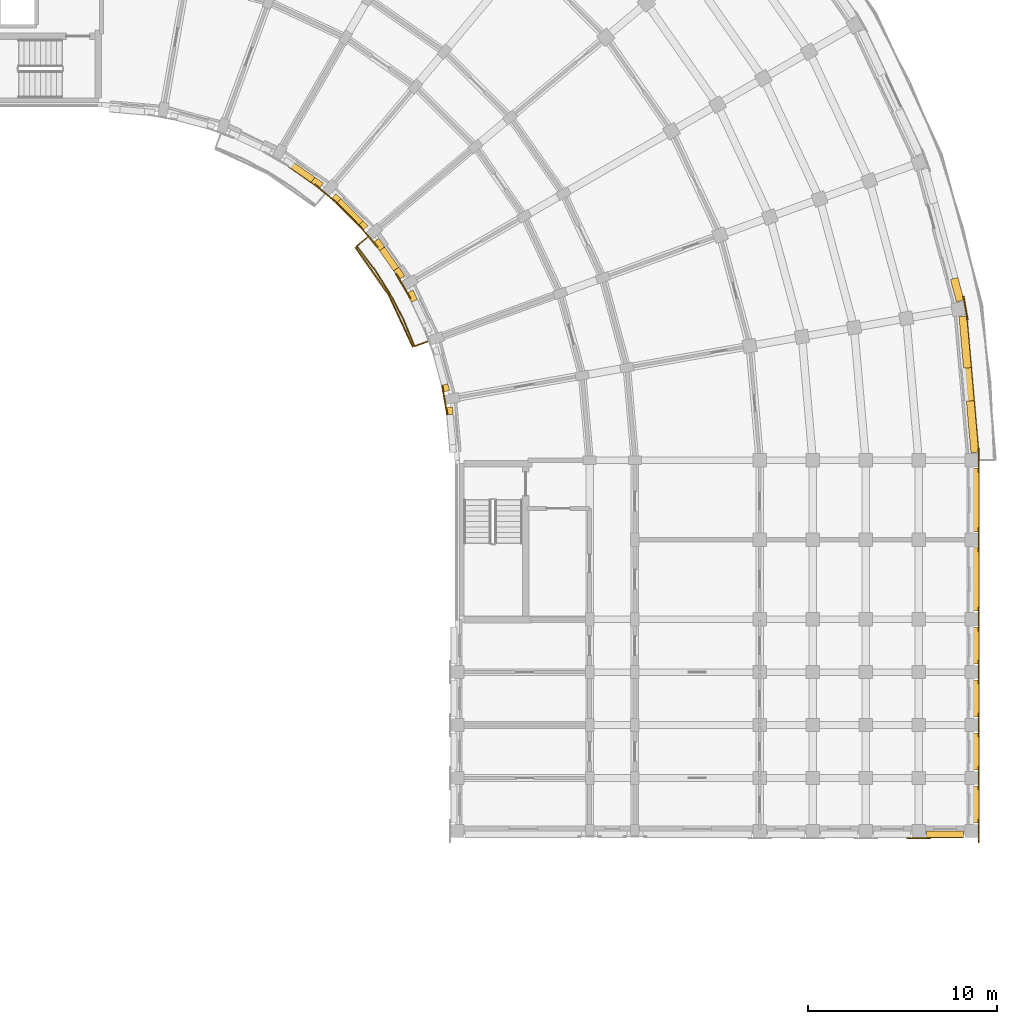
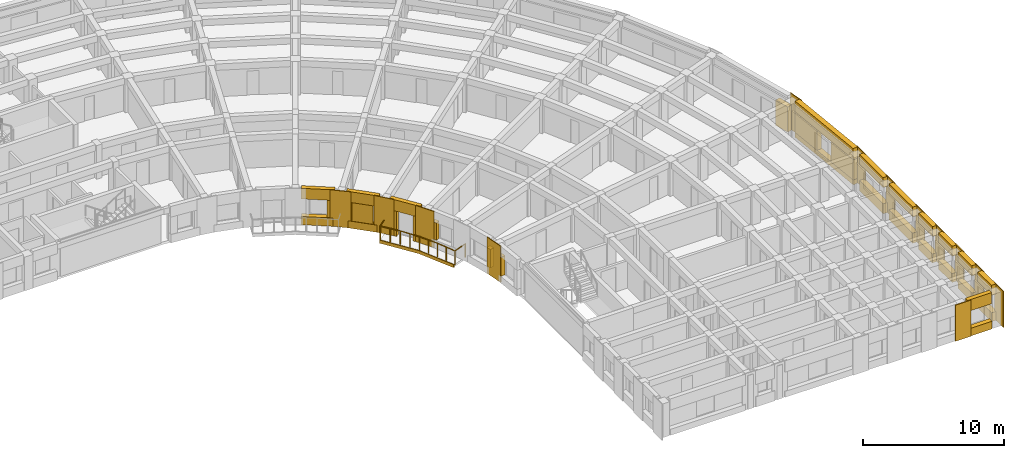
# One storey, part 53 of 57: 46 coverings, 1 railing, 1 shading device.
"""IFC4 building model written with IfcOpenShell, lengths in metres."""

from ifc_helpers import new_model, si_unit, direction, frame, origin, origin_2d, place, context, subcontext, project, spatial, polyline, rectangle, circle, outline, extrude, material, layer, layer_set, type_object, element, save


model = new_model("IFC4")

# Units and contexts
model_context = context("Model", 3, precision=1e-05, world=origin(), true_north=direction((0.0, 1.0)))
body_context = subcontext(model_context, "Body", "Model", "MODEL_VIEW")
ifc_project = project(units=[si_unit("LENGTHUNIT", "METRE"), si_unit("AREAUNIT", "SQUARE_METRE"), si_unit("VOLUMEUNIT", "CUBIC_METRE"), si_unit("PLANEANGLEUNIT", "RADIAN"), si_unit("MASSUNIT", "GRAM", prefix="KILO")], contexts=[model_context])

# Site, building, storey
site_placement = place(None, origin())
site = spatial("IfcSite", under=ifc_project, at=site_placement, CompositionType="ELEMENT")
building_placement = place(site_placement, origin())
building = spatial("IfcBuilding", under=site, at=building_placement, Name="Kiranvali Square Residences", CompositionType="ELEMENT")
storey_placement = place(building_placement, frame((0.0, 0.0, 18.14990234375)))
storey = spatial("IfcBuildingStorey", under=building, at=storey_placement, Name="L05", CompositionType="ELEMENT", Elevation=18.14990234375)

# Coverings
ifc_material_1 = material(Name="Carved Porbandar limestone classical entablature and cornice", Category="masonry")
ifc_layer_1 = layer(ifc_material_1, 0.06201171875)
ifc_layer_set_1 = layer_set([ifc_layer_1], Name="Carved Porbandar limestone classical entablature and cornice")
covering_type_1 = type_object("IfcCoveringType", Name="COV-CLAD-GBAL", PredefinedType="CLADDING", material=ifc_layer_set_1)
covering_1_placement = place(storey_placement, frame((0.0, 0.0, -0.219970703125)))
element("IfcCovering", 1, at=covering_1_placement, inside=storey, type_object=covering_type_1, Name="Block B L05 garden balcony limestone fascia 2", PredefinedType="CLADDING", context=body_context, shape_type="SweptSolid", body=[
    extrude(outline(polyline([(133.1904296875, 99.035888671875), (134.938232421875, 96.5400390625), (136.225830078125, 93.778564453125), (136.289794921875, 93.8017578125), (134.9970703125, 96.573974609375), (133.242431640625, 99.07958984375), (133.1904296875, 99.035888671875)])), origin(), (0.0, 0.0, 1.0), 0.27001953125),
])
ifc_material_2 = material(Name="Honed Porbandar limestone ashlar facade cladding", Category="masonry")
ifc_layer_2 = layer(ifc_material_2, 0.3798828125)
ifc_layer_set_2 = layer_set([ifc_layer_2], Name="Honed Porbandar limestone ashlar facade cladding")
covering_type_2 = type_object("IfcCoveringType", Name="COV-CLAD-JAMB", PredefinedType="CLADDING", material=ifc_layer_set_2)
covering_2_placement = place(storey_placement, origin())
element("IfcCovering", 2, at=covering_2_placement, inside=storey, type_object=covering_type_2, Name="L05 deep limestone window jamb reveal B-L05-CRV-07.R", PredefinedType="CLADDING", context=body_context, shape_type="SweptSolid", body=[
    extrude(outline(polyline([(164.6806640625, 97.359375), (164.998046875, 96.17431640625), (165.3935546875, 96.2802734375), (165.076171875, 97.46533203125), (164.6806640625, 97.359375)])), origin(), (0.0, 0.0, 1.0), 2.18017578125),
])
covering_3_placement = place(storey_placement, frame((0.0, 0.0, 0.422119140625)))
element("IfcCovering", 3, at=covering_3_placement, inside=storey, type_object=covering_type_2, Name="L05 deep limestone window jamb reveal B-L05-CRV-08.L", PredefinedType="CLADDING", context=body_context, shape_type="SweptSolid", body=[
    extrude(outline(polyline([(165.136474609375, 95.389404296875), (165.374755859375, 92.66552734375), (165.78271484375, 92.701416015625), (165.54443359375, 95.425048828125), (165.136474609375, 95.389404296875)])), origin(), (0.0, 0.0, 1.0), 1.75),
])
covering_4_placement = place(storey_placement, frame((0.0, 0.0, 0.422119140625)))
element("IfcCovering", 4, at=covering_4_placement, inside=storey, type_object=covering_type_2, Name="L05 deep limestone window jamb reveal B-L05-CRV-08.R", PredefinedType="CLADDING", context=body_context, shape_type="SweptSolid", body=[
    extrude(outline(polyline([(165.52734375, 90.92236328125), (165.765625, 88.198486328125), (166.173583984375, 88.234130859375), (165.935302734375, 90.9580078125), (165.52734375, 90.92236328125)])), origin(), (0.0, 0.0, 1.0), 1.75),
])
covering_5_placement = place(storey_placement, frame((0.0, 0.0, 0.72216796875)))
element("IfcCovering", 5, at=covering_5_placement, inside=storey, type_object=covering_type_2, Name="L05 deep limestone window jamb reveal B-L05-GDN-03.R", PredefinedType="CLADDING", context=body_context, shape_type="SweptSolid", body=[
    extrude(outline(polyline([(130.879638671875, 102.490234375), (131.328857421875, 102.175537109375), (131.523681640625, 102.45361328125), (131.074462890625, 102.768310546875), (130.879638671875, 102.490234375)])), origin(), (0.0, 0.0, 1.0), 1.5),
])
covering_6_placement = place(storey_placement, frame((0.0, 0.0, 0.6220703125)))
element("IfcCovering", 6, at=covering_6_placement, inside=storey, type_object=covering_type_2, Name="L05 deep limestone window jamb reveal B-L05-GDN-04.L", PredefinedType="CLADDING", context=body_context, shape_type="SweptSolid", body=[
    extrude(outline(polyline([(131.955078125, 101.650146484375), (132.21923828125, 101.385986328125), (132.459228515625, 101.6259765625), (132.195068359375, 101.89013671875), (131.955078125, 101.650146484375)])), origin(), (0.0, 0.0, 1.0), 1.60009765625),
])
covering_7_placement = place(storey_placement, frame((0.0, 0.0, 0.6220703125)))
element("IfcCovering", 7, at=covering_7_placement, inside=storey, type_object=covering_type_2, Name="L05 deep limestone window jamb reveal B-L05-GDN-04.R", PredefinedType="CLADDING", context=body_context, shape_type="SweptSolid", body=[
    extrude(outline(polyline([(133.385986328125, 100.21923828125), (133.650146484375, 99.955078125), (133.89013671875, 100.195068359375), (133.6259765625, 100.459228515625), (133.385986328125, 100.21923828125)])), origin(), (0.0, 0.0, 1.0), 1.60009765625),
])
covering_8_placement = place(storey_placement, origin())
element("IfcCovering", 8, at=covering_8_placement, inside=storey, type_object=covering_type_2, Name="L05 deep limestone window jamb reveal B-L05-GDN-05.L", PredefinedType="CLADDING", context=body_context, shape_type="SweptSolid", body=[
    extrude(outline(polyline([(134.175537109375, 99.328857421875), (134.490234375, 98.879638671875), (134.768310546875, 99.074462890625), (134.45361328125, 99.523681640625), (134.175537109375, 99.328857421875)])), origin(), (0.0, 0.0, 1.0), 2.18017578125),
])
covering_9_placement = place(storey_placement, origin())
element("IfcCovering", 9, at=covering_9_placement, inside=storey, type_object=covering_type_2, Name="L05 deep limestone window jamb reveal B-L05-GDN-05.R", PredefinedType="CLADDING", context=body_context, shape_type="SweptSolid", body=[
    extrude(outline(polyline([(135.23583984375, 97.814697265625), (135.55029296875, 97.365478515625), (135.828369140625, 97.56005859375), (135.513916015625, 98.009521484375), (135.23583984375, 97.814697265625)])), origin(), (0.0, 0.0, 1.0), 2.18017578125),
])
covering_10_placement = place(storey_placement, frame((0.0, 0.0, 0.72216796875)))
element("IfcCovering", 10, at=covering_10_placement, inside=storey, type_object=covering_type_2, Name="L05 deep limestone window jamb reveal B-L05-GDN-06.L", PredefinedType="CLADDING", context=body_context, shape_type="SweptSolid", body=[
    extrude(outline(polyline([(135.958984375, 96.657470703125), (136.19091796875, 96.160400390625), (136.49853515625, 96.303955078125), (136.266845703125, 96.801025390625), (135.958984375, 96.657470703125)])), origin(), (0.0, 0.0, 1.0), 1.5),
])
covering_11_placement = place(storey_placement, frame((0.0, 0.0, 0.6220703125)))
element("IfcCovering", 11, at=covering_11_placement, inside=storey, type_object=covering_type_2, Name="L05 deep limestone window jamb reveal B-L05-GDN-07.R", PredefinedType="CLADDING", context=body_context, shape_type="SweptSolid", body=[
    extrude(outline(polyline([(137.775390625, 91.762451171875), (137.8720703125, 91.401611328125), (138.199951171875, 91.489501953125), (138.103271484375, 91.850341796875), (137.775390625, 91.762451171875)])), origin(), (0.0, 0.0, 1.0), 1.60009765625),
])
covering_12_placement = place(storey_placement, frame((0.0, 0.0, 0.572021484375)))
element("IfcCovering", 12, at=covering_12_placement, inside=storey, type_object=covering_type_2, Name="L05 deep limestone window jamb reveal B-L05-GDN-08.L", PredefinedType="CLADDING", context=body_context, shape_type="SweptSolid", body=[
    extrude(outline(polyline([(138.013916015625, 90.5966796875), (138.048828125, 90.19970703125), (138.386962890625, 90.229248046875), (138.352294921875, 90.626220703125), (138.013916015625, 90.5966796875)])), origin(), (0.0, 0.0, 1.0), 1.650146484375),
])
ifc_layer_3 = layer(ifc_material_2, 0.06494140625)
ifc_layer_set_3 = layer_set([ifc_layer_3], Name="Honed Porbandar limestone ashlar facade cladding")
covering_type_3 = type_object("IfcCoveringType", Name="COV-CLAD-PIER", PredefinedType="CLADDING", material=ifc_layer_set_3)
covering_13_placement = place(storey_placement, frame((0.0, 0.0, 0.005126953125)))
element("IfcCovering", 13, at=covering_13_placement, inside=storey, type_object=covering_type_3, Name="L05 Classical limestone corner pilaster CLAD-PR-B-L05-A08", PredefinedType="CLADDING", context=body_context, shape_type="SweptSolid", body=[
    extrude(outline(polyline([(165.622314453125, 95.239990234375), (165.4033203125, 96.480712890625), (165.3369140625, 96.468994140625), (165.5556640625, 95.228271484375), (165.622314453125, 95.239990234375)])), origin(), (0.0, 0.0, 1.0), 3.139892578125),
])
covering_14_placement = place(storey_placement, frame((0.0, 0.0, 0.005126953125)))
element("IfcCovering", 14, at=covering_14_placement, inside=storey, type_object=covering_type_3, Name="L05 Classical limestone corner pilaster CLAD-PR-B-L05-A09", PredefinedType="CLADDING", context=body_context, shape_type="SweptSolid", body=[
    extrude(outline(polyline([(166.218017578125, 87.169921875), (166.218017578125, 88.429931640625), (166.150390625, 88.429931640625), (166.150390625, 87.169921875), (166.218017578125, 87.169921875)])), origin(), (0.0, 0.0, 1.0), 3.139892578125),
])
covering_15_placement = place(storey_placement, frame((0.0, 0.0, 0.005126953125)))
element("IfcCovering", 15, at=covering_15_placement, inside=storey, type_object=covering_type_3, Name="L05 Classical limestone pilaster casing CLAD-PR-B-L05-V42", PredefinedType="CLADDING", context=body_context, shape_type="SweptSolid", body=[
    extrude(outline(polyline([(166.150390625, 84.22998046875), (166.150390625, 82.969970703125), (166.218017578125, 82.969970703125), (166.218017578125, 84.22998046875), (166.150390625, 84.22998046875)])), origin(), (0.0, 0.0, 1.0), 3.139892578125),
])
covering_16_placement = place(storey_placement, frame((0.0, 0.0, 0.005126953125)))
element("IfcCovering", 16, at=covering_16_placement, inside=storey, type_object=covering_type_3, Name="L05 Classical limestone pilaster casing CLAD-PR-B-L05-V84", PredefinedType="CLADDING", context=body_context, shape_type="SweptSolid", body=[
    extrude(outline(polyline([(166.150390625, 80.030029296875), (166.150390625, 78.77001953125), (166.218017578125, 78.77001953125), (166.218017578125, 80.030029296875), (166.150390625, 80.030029296875)])), origin(), (0.0, 0.0, 1.0), 3.139892578125),
])
covering_17_placement = place(storey_placement, frame((0.0, 0.0, 0.005126953125)))
element("IfcCovering", 17, at=covering_17_placement, inside=storey, type_object=covering_type_3, Name="L05 Classical limestone pilaster casing CLAD-PR-B-L05-V112", PredefinedType="CLADDING", context=body_context, shape_type="SweptSolid", body=[
    extrude(outline(polyline([(166.150390625, 77.22998046875), (166.150390625, 75.969970703125), (166.218017578125, 75.969970703125), (166.218017578125, 77.22998046875), (166.150390625, 77.22998046875)])), origin(), (0.0, 0.0, 1.0), 3.139892578125),
])
covering_18_placement = place(storey_placement, frame((0.0, 0.0, 0.005126953125)))
element("IfcCovering", 18, at=covering_18_placement, inside=storey, type_object=covering_type_3, Name="L05 Classical limestone pilaster casing CLAD-PR-B-L05-V140", PredefinedType="CLADDING", context=body_context, shape_type="SweptSolid", body=[
    extrude(outline(polyline([(166.150390625, 74.429931640625), (166.150390625, 73.169921875), (166.218017578125, 73.169921875), (166.218017578125, 74.429931640625), (166.150390625, 74.429931640625)])), origin(), (0.0, 0.0, 1.0), 3.139892578125),
])
covering_19_placement = place(storey_placement, frame((0.0, 0.0, 0.005126953125)))
element("IfcCovering", 19, at=covering_19_placement, inside=storey, type_object=covering_type_3, Name="L05 Classical limestone pilaster casing CLAD-PR-B-L05-V167", PredefinedType="CLADDING", context=body_context, shape_type="SweptSolid", body=[
    extrude(outline(polyline([(166.150390625, 71.6298828125), (166.150390625, 70.3701171875), (166.218017578125, 70.3701171875), (166.218017578125, 71.6298828125), (166.150390625, 71.6298828125)])), origin(), (0.0, 0.0, 1.0), 3.139892578125),
])
covering_20_placement = place(storey_placement, frame((0.0, 0.0, 0.005126953125)))
element("IfcCovering", 20, at=covering_20_placement, inside=storey, type_object=covering_type_3, Name="L05 Classical limestone pilaster casing CLAD-PR-B-L05-V196", PredefinedType="CLADDING", context=body_context, shape_type="SweptSolid", body=[
    extrude(outline(polyline([(166.150390625, 68.830078125), (166.150390625, 67.570068359375), (166.218017578125, 67.570068359375), (166.218017578125, 68.830078125), (166.150390625, 68.830078125)])), origin(), (0.0, 0.0, 1.0), 3.139892578125),
])
ifc_layer_4 = layer(ifc_material_2, 0.050048828125)
ifc_layer_set_4 = layer_set([ifc_layer_4], Name="Honed Porbandar limestone ashlar facade cladding")
covering_type_4 = type_object("IfcCoveringType", Name="COV-CLAD-PIER-IN", PredefinedType="CLADDING", material=ifc_layer_set_4)
covering_21_placement = place(storey_placement, frame((0.0, 0.0, 0.005126953125)))
element("IfcCovering", 21, at=covering_21_placement, inside=storey, type_object=covering_type_4, Name="L05 Classical garden courtyard pilaster CLAD-PRIN-B-L05-A04", PredefinedType="CLADDING", context=body_context, shape_type="SweptSolid", body=[
    extrude(outline(polyline([(131.041259765625, 102.363525390625), (132.190185546875, 101.3994140625), (132.233642578125, 101.451171875), (131.08447265625, 102.415283203125), (131.041259765625, 102.363525390625)])), origin(), (0.0, 0.0, 1.0), 3.139892578125),
])
covering_22_placement = place(storey_placement, frame((0.0, 0.0, 0.005126953125)))
element("IfcCovering", 22, at=covering_22_placement, inside=storey, type_object=covering_type_4, Name="L05 Classical garden courtyard pilaster CLAD-PRIN-B-L05-A05", PredefinedType="CLADDING", context=body_context, shape_type="SweptSolid", body=[
    extrude(outline(polyline([(133.3994140625, 100.190185546875), (134.363525390625, 99.041259765625), (134.415283203125, 99.08447265625), (133.451171875, 100.233642578125), (133.3994140625, 100.190185546875)])), origin(), (0.0, 0.0, 1.0), 3.139892578125),
])
covering_23_placement = place(storey_placement, frame((0.0, 0.0, 0.005126953125)))
element("IfcCovering", 23, at=covering_23_placement, inside=storey, type_object=covering_type_4, Name="L05 Classical garden courtyard pilaster CLAD-PRIN-B-L05-A06", PredefinedType="CLADDING", context=body_context, shape_type="SweptSolid", body=[
    extrude(outline(polyline([(135.34423828125, 97.640625), (136.09423828125, 96.341552734375), (136.15283203125, 96.375244140625), (135.40283203125, 97.67431640625), (135.34423828125, 97.640625)])), origin(), (0.0, 0.0, 1.0), 3.139892578125),
])
covering_24_placement = place(storey_placement, frame((0.0, 0.0, 0.005126953125)))
element("IfcCovering", 24, at=covering_24_placement, inside=storey, type_object=covering_type_4, Name="L05 Classical garden courtyard pilaster CLAD-PRIN-B-L05-A08", PredefinedType="CLADDING", context=body_context, shape_type="SweptSolid", body=[
    extrude(outline(polyline([(137.7724609375, 91.730712890625), (138.032958984375, 90.25341796875), (138.099365234375, 90.26513671875), (137.8388671875, 91.742431640625), (137.7724609375, 91.730712890625)])), origin(), (0.0, 0.0, 1.0), 3.139892578125),
])
ifc_layer_5 = layer(ifc_material_2, 0.054931640625)
ifc_layer_set_5 = layer_set([ifc_layer_5], Name="Honed Porbandar limestone ashlar facade cladding")
covering_type_5 = type_object("IfcCoveringType", Name="COV-CLAD-PIER-UP", PredefinedType="CLADDING", material=ifc_layer_set_5)
covering_25_placement = place(storey_placement, frame((0.0, 0.0, 0.005126953125)))
element("IfcCovering", 25, at=covering_25_placement, inside=storey, type_object=covering_type_5, Name="L05 Classical limestone pilaster casing CLAD-PRA2E-B-L05-R432", PredefinedType="CLADDING", context=body_context, shape_type="SweptSolid", body=[
    extrude(outline(polyline([(162.3701171875, 67.781982421875), (163.6298828125, 67.781982421875), (163.6298828125, 67.849609375), (162.3701171875, 67.849609375), (162.3701171875, 67.781982421875)])), origin(), (0.0, 0.0, 1.0), 3.139892578125),
])
ifc_layer_6 = layer(ifc_material_2, 0.360107421875)
ifc_layer_set_6 = layer_set([ifc_layer_6], Name="Honed Porbandar limestone ashlar facade cladding")
covering_type_6 = type_object("IfcCoveringType", Name="COV-CLAD-WALL", PredefinedType="CLADDING", material=ifc_layer_set_6)
covering_26_placement = place(storey_placement, frame((0.0, 0.0, 2.172119140625)))
element("IfcCovering", 26, at=covering_26_placement, inside=storey, type_object=covering_type_6, Name="L05 light limestone spandrel lintel B-L05-CRV-08", PredefinedType="CLADDING", context=body_context, shape_type="SweptSolid", body=[
    extrude(outline(polyline([(165.136474609375, 95.389404296875), (165.765625, 88.198486328125), (166.173583984375, 88.234130859375), (165.54443359375, 95.425048828125), (165.136474609375, 95.389404296875)])), origin(), (0.0, 0.0, 1.0), 0.972900390625),
])
covering_27_placement = place(storey_placement, frame((0.0, 0.0, 0.005126953125)))
element("IfcCovering", 27, at=covering_27_placement, inside=storey, type_object=covering_type_6, Name="L05 limestone window sill apron B-L05-CRV-08", PredefinedType="CLADDING", context=body_context, shape_type="SweptSolid", body=[
    extrude(outline(polyline([(165.136474609375, 95.389404296875), (165.765625, 88.198486328125), (166.203369140625, 88.23681640625), (165.57421875, 95.427734375), (165.136474609375, 95.389404296875)])), origin(), (0.0, 0.0, 1.0), 0.4169921875),
])
covering_28_placement = place(storey_placement, frame((0.0, 0.0, 2.22216796875)))
element("IfcCovering", 28, at=covering_28_placement, inside=storey, type_object=covering_type_6, Name="L05 light limestone spandrel lintel B-L05-GDN-03", PredefinedType="CLADDING", context=body_context, shape_type="SweptSolid", body=[
    extrude(outline(polyline([(129.365478515625, 103.55029296875), (131.328857421875, 102.175537109375), (131.523681640625, 102.45361328125), (129.56005859375, 103.828369140625), (129.365478515625, 103.55029296875)])), origin(), (0.0, 0.0, 1.0), 0.9228515625),
])
covering_29_placement = place(storey_placement, frame((0.0, 0.0, 2.22216796875)))
element("IfcCovering", 29, at=covering_29_placement, inside=storey, type_object=covering_type_6, Name="L05 light limestone spandrel lintel B-L05-GDN-04", PredefinedType="CLADDING", context=body_context, shape_type="SweptSolid", body=[
    extrude(outline(polyline([(131.955078125, 101.650146484375), (133.650146484375, 99.955078125), (133.89013671875, 100.195068359375), (132.195068359375, 101.89013671875), (131.955078125, 101.650146484375)])), origin(), (0.0, 0.0, 1.0), 0.9228515625),
])
covering_30_placement = place(storey_placement, frame((0.0, 0.0, 2.18017578125)))
element("IfcCovering", 30, at=covering_30_placement, inside=storey, type_object=covering_type_6, Name="L05 light limestone spandrel lintel B-L05-GDN-05", PredefinedType="CLADDING", context=body_context, shape_type="SweptSolid", body=[
    extrude(outline(polyline([(134.175537109375, 99.328857421875), (135.55029296875, 97.365478515625), (135.828369140625, 97.56005859375), (134.45361328125, 99.523681640625), (134.175537109375, 99.328857421875)])), origin(), (0.0, 0.0, 1.0), 0.96484375),
])
covering_31_placement = place(storey_placement, frame((0.0, 0.0, 2.280029296875)))
element("IfcCovering", 31, at=covering_31_placement, inside=storey, type_object=covering_type_6, Name="L05 light limestone spandrel lintel B-L05-A2O-0", PredefinedType="CLADDING", context=body_context, shape_type="SweptSolid", body=[
    extrude(outline(polyline([(165.800537109375, 87.3798828125), (165.800537109375, 84.02001953125), (166.199951171875, 84.02001953125), (166.199951171875, 87.3798828125), (165.800537109375, 87.3798828125)])), origin(), (0.0, 0.0, 1.0), 0.864990234375),
])
covering_32_placement = place(storey_placement, frame((0.0, 0.0, 0.005126953125)))
element("IfcCovering", 32, at=covering_32_placement, inside=storey, type_object=covering_type_6, Name="L05 limestone window sill apron B-L05-A2O-0", PredefinedType="CLADDING", context=body_context, shape_type="SweptSolid", body=[
    extrude(outline(polyline([(165.800537109375, 87.3798828125), (165.800537109375, 84.02001953125), (166.22998046875, 84.02001953125), (166.22998046875, 87.3798828125), (165.800537109375, 87.3798828125)])), origin(), (0.0, 0.0, 1.0), 0.875),
])
covering_33_placement = place(storey_placement, frame((0.0, 0.0, 2.280029296875)))
element("IfcCovering", 33, at=covering_33_placement, inside=storey, type_object=covering_type_6, Name="L05 light limestone spandrel lintel B-L05-A2O-1", PredefinedType="CLADDING", context=body_context, shape_type="SweptSolid", body=[
    extrude(outline(polyline([(165.800537109375, 83.179931640625), (165.800537109375, 79.820068359375), (166.199951171875, 79.820068359375), (166.199951171875, 83.179931640625), (165.800537109375, 83.179931640625)])), origin(), (0.0, 0.0, 1.0), 0.864990234375),
])
covering_34_placement = place(storey_placement, frame((0.0, 0.0, 0.005126953125)))
element("IfcCovering", 34, at=covering_34_placement, inside=storey, type_object=covering_type_6, Name="L05 limestone window sill apron B-L05-A2O-1", PredefinedType="CLADDING", context=body_context, shape_type="SweptSolid", body=[
    extrude(outline(polyline([(165.800537109375, 83.179931640625), (165.800537109375, 79.820068359375), (166.22998046875, 79.820068359375), (166.22998046875, 83.179931640625), (165.800537109375, 83.179931640625)])), origin(), (0.0, 0.0, 1.0), 0.875),
])
covering_35_placement = place(storey_placement, frame((0.0, 0.0, 2.272216796875)))
element("IfcCovering", 35, at=covering_35_placement, inside=storey, type_object=covering_type_6, Name="L05 light limestone spandrel lintel B-L05-A2O-2", PredefinedType="CLADDING", context=body_context, shape_type="SweptSolid", body=[
    extrude(outline(polyline([(165.800537109375, 78.97998046875), (165.800537109375, 77.02001953125), (166.199951171875, 77.02001953125), (166.199951171875, 78.97998046875), (165.800537109375, 78.97998046875)])), origin(), (0.0, 0.0, 1.0), 0.872802734375),
])
covering_36_placement = place(storey_placement, frame((0.0, 0.0, 0.005126953125)))
element("IfcCovering", 36, at=covering_36_placement, inside=storey, type_object=covering_type_6, Name="L05 limestone window sill apron B-L05-A2O-2", PredefinedType="CLADDING", context=body_context, shape_type="SweptSolid", body=[
    extrude(outline(polyline([(165.800537109375, 78.97998046875), (165.800537109375, 77.02001953125), (166.22998046875, 77.02001953125), (166.22998046875, 78.97998046875), (165.800537109375, 78.97998046875)])), origin(), (0.0, 0.0, 1.0), 0.76708984375),
])
covering_37_placement = place(storey_placement, frame((0.0, 0.0, 2.272216796875)))
element("IfcCovering", 37, at=covering_37_placement, inside=storey, type_object=covering_type_6, Name="L05 light limestone spandrel lintel B-L05-A2O-3", PredefinedType="CLADDING", context=body_context, shape_type="SweptSolid", body=[
    extrude(outline(polyline([(165.800537109375, 76.179931640625), (165.800537109375, 74.219970703125), (166.199951171875, 74.219970703125), (166.199951171875, 76.179931640625), (165.800537109375, 76.179931640625)])), origin(), (0.0, 0.0, 1.0), 0.872802734375),
])
covering_38_placement = place(storey_placement, frame((0.0, 0.0, 0.005126953125)))
element("IfcCovering", 38, at=covering_38_placement, inside=storey, type_object=covering_type_6, Name="L05 limestone window sill apron B-L05-A2O-3", PredefinedType="CLADDING", context=body_context, shape_type="SweptSolid", body=[
    extrude(outline(polyline([(165.800537109375, 76.179931640625), (165.800537109375, 74.219970703125), (166.22998046875, 74.219970703125), (166.22998046875, 76.179931640625), (165.800537109375, 76.179931640625)])), origin(), (0.0, 0.0, 1.0), 0.76708984375),
])
covering_39_placement = place(storey_placement, frame((0.0, 0.0, 2.272216796875)))
element("IfcCovering", 39, at=covering_39_placement, inside=storey, type_object=covering_type_6, Name="L05 light limestone spandrel lintel B-L05-A2O-4", PredefinedType="CLADDING", context=body_context, shape_type="SweptSolid", body=[
    extrude(outline(polyline([(165.800537109375, 73.3798828125), (165.800537109375, 71.419921875), (166.199951171875, 71.419921875), (166.199951171875, 73.3798828125), (165.800537109375, 73.3798828125)])), origin(), (0.0, 0.0, 1.0), 0.872802734375),
])
covering_40_placement = place(storey_placement, frame((0.0, 0.0, 0.005126953125)))
element("IfcCovering", 40, at=covering_40_placement, inside=storey, type_object=covering_type_6, Name="L05 limestone window sill apron B-L05-A2O-4", PredefinedType="CLADDING", context=body_context, shape_type="SweptSolid", body=[
    extrude(outline(polyline([(165.800537109375, 73.3798828125), (165.800537109375, 71.419921875), (166.22998046875, 71.419921875), (166.22998046875, 73.3798828125), (165.800537109375, 73.3798828125)])), origin(), (0.0, 0.0, 1.0), 0.76708984375),
])
covering_41_placement = place(storey_placement, frame((0.0, 0.0, 2.272216796875)))
element("IfcCovering", 41, at=covering_41_placement, inside=storey, type_object=covering_type_6, Name="L05 light limestone spandrel lintel B-L05-A2O-5", PredefinedType="CLADDING", context=body_context, shape_type="SweptSolid", body=[
    extrude(outline(polyline([(165.800537109375, 70.580078125), (165.800537109375, 68.6201171875), (166.199951171875, 68.6201171875), (166.199951171875, 70.580078125), (165.800537109375, 70.580078125)])), origin(), (0.0, 0.0, 1.0), 0.872802734375),
])
covering_42_placement = place(storey_placement, frame((0.0, 0.0, 0.005126953125)))
element("IfcCovering", 42, at=covering_42_placement, inside=storey, type_object=covering_type_6, Name="L05 limestone window sill apron B-L05-A2O-5", PredefinedType="CLADDING", context=body_context, shape_type="SweptSolid", body=[
    extrude(outline(polyline([(165.800537109375, 70.580078125), (165.800537109375, 68.6201171875), (166.22998046875, 68.6201171875), (166.22998046875, 70.580078125), (165.800537109375, 70.580078125)])), origin(), (0.0, 0.0, 1.0), 0.76708984375),
])
covering_43_placement = place(storey_placement, frame((0.0, 0.0, 2.172119140625)))
element("IfcCovering", 43, at=covering_43_placement, inside=storey, type_object=covering_type_6, Name="L05 light limestone spandrel lintel B-L05-A2END-6", PredefinedType="CLADDING", context=body_context, shape_type="SweptSolid", body=[
    extrude(outline(polyline([(163.419921875, 67.860107421875), (165.3798828125, 67.860107421875), (165.3798828125, 68.199462890625), (163.419921875, 68.199462890625), (163.419921875, 67.860107421875)])), origin(), (0.0, 0.0, 1.0), 0.972900390625),
])
covering_44_placement = place(storey_placement, frame((0.0, 0.0, 0.005126953125)))
element("IfcCovering", 44, at=covering_44_placement, inside=storey, type_object=covering_type_6, Name="L05 limestone window sill apron B-L05-A2END-6", PredefinedType="CLADDING", context=body_context, shape_type="SweptSolid", body=[
    extrude(outline(polyline([(163.419921875, 67.830078125), (165.3798828125, 67.830078125), (165.3798828125, 68.199462890625), (163.419921875, 68.199462890625), (163.419921875, 67.830078125)])), origin(), (0.0, 0.0, 1.0), 0.6669921875),
])
ifc_layer_7 = layer(ifc_material_2, 0.2900390625)
ifc_layer_set_7 = layer_set([ifc_layer_7], Name="Honed Porbandar limestone ashlar facade cladding")
covering_type_7 = type_object("IfcCoveringType", Name="COV-CLAD-WALL-IN", PredefinedType="CLADDING", material=ifc_layer_set_7)
covering_45_placement = place(storey_placement, frame((0.0, 0.0, 0.005126953125)))
element("IfcCovering", 45, at=covering_45_placement, inside=storey, type_object=covering_type_7, Name="L05 limestone window sill apron B-L05-GDN-03", PredefinedType="CLADDING", context=body_context, shape_type="SweptSolid", body=[
    extrude(outline(polyline([(129.34814453125, 103.52587890625), (131.311767578125, 102.15087890625), (131.523681640625, 102.45361328125), (129.56005859375, 103.828369140625), (129.34814453125, 103.52587890625)])), origin(), (0.0, 0.0, 1.0), 0.717041015625),
])
covering_46_placement = place(storey_placement, frame((0.0, 0.0, 0.005126953125)))
element("IfcCovering", 46, at=covering_46_placement, inside=storey, type_object=covering_type_7, Name="L05 limestone window sill apron B-L05-GDN-04", PredefinedType="CLADDING", context=body_context, shape_type="SweptSolid", body=[
    extrude(outline(polyline([(131.933837890625, 101.62890625), (133.62890625, 99.933837890625), (133.89013671875, 100.195068359375), (132.195068359375, 101.89013671875), (131.933837890625, 101.62890625)])), origin(), (0.0, 0.0, 1.0), 0.616943359375),
])

# Railing
ifc_material_3 = material(Name="Powder-coated architectural bronze balustrade", Category="steel")
railing_type = type_object("IfcRailingType", Name="RL-BAL-GOLD-1200", PredefinedType="BALUSTRADE", material=ifc_material_3)
railing_placement = place(storey_placement, frame((134.1708984375, 99.858642578125, 0.0)))
element("IfcRailing", 47, at=railing_placement, inside=storey, type_object=railing_type, Name="Block B L05 garden balcony gold balustrade 2", PredefinedType="BALUSTRADE", context=body_context, shape_type="SweptSolid", body=[
    extrude(circle(Radius=0.02392578125, at=origin_2d()), frame((0.0, 0.0, 1.17578125), z_axis=(-0.765989188314, -0.642853454051, 0.0), x_axis=(0.642853454051, -0.765989188314, 0.0)), (0.0, 0.0, 1.0), 1.14990234375),
    extrude(circle(Radius=0.02392578125, at=origin_2d()), frame((-0.880859375, -0.7392578125, 1.17578125), z_axis=(0.608811807471, -0.793314680996, 0.0), x_axis=(0.793314680996, 0.608811807471, 0.0)), (0.0, 0.0, 1.0), 1.536376953125),
    extrude(circle(Radius=0.02392578125, at=origin_2d()), frame((0.054443359375, -1.9580078125, 1.17578125), z_axis=(0.537307309343, -0.843386539688, 0.0), x_axis=(0.843386539688, 0.537307309343, 0.0)), (0.0, 0.0, 1.0), 1.5361328125),
    extrude(circle(Radius=0.02392578125, at=origin_2d()), frame((0.8798828125, -3.253662109375, 1.17578125), z_axis=(0.461713009976, -0.887029366154, 0.0), x_axis=(0.887029366154, 0.461713009976, 0.0)), (0.0, 0.0, 1.0), 1.5361328125),
    extrude(circle(Radius=0.02392578125, at=origin_2d()), frame((1.589111328125, -4.6162109375, 1.17578125), z_axis=(0.382651197843, -0.923892883829, 0.0), x_axis=(0.923892883829, 0.382651197843, 0.0)), (0.0, 0.0, 1.0), 1.536376953125),
    extrude(circle(Radius=0.02392578125, at=origin_2d()), frame((2.177001953125, -6.03564453125, 1.17578125), z_axis=(0.939712828289, 0.341964618562, 0.0), x_axis=(-0.341964618562, 0.939712828289, 0.0)), (0.0, 0.0, 1.0), 1.150146484375),
    extrude(circle(Radius=0.02099609375, at=origin_2d()), origin(), (0.0, 0.0, 1.0), 1.15185546875),
    extrude(circle(Radius=0.02099609375, at=origin_2d()), frame((-0.880859375, -0.7392578125, 0.0)), (0.0, 0.0, 1.0), 1.15185546875),
    extrude(circle(Radius=0.02099609375, at=origin_2d()), frame((-0.4130859375, -1.3486328125, 0.0)), (0.0, 0.0, 1.0), 1.15185546875),
    extrude(circle(Radius=0.02099609375, at=origin_2d()), frame((0.054443359375, -1.9580078125, 0.0)), (0.0, 0.0, 1.0), 1.15185546875),
    extrude(circle(Radius=0.02099609375, at=origin_2d()), frame((0.46728515625, -2.60595703125, 0.0)), (0.0, 0.0, 1.0), 1.15185546875),
    extrude(circle(Radius=0.02099609375, at=origin_2d()), frame((0.8798828125, -3.253662109375, 0.0)), (0.0, 0.0, 1.0), 1.15185546875),
    extrude(circle(Radius=0.02099609375, at=origin_2d()), frame((1.234375, -3.93505859375, 0.0)), (0.0, 0.0, 1.0), 1.15185546875),
    extrude(circle(Radius=0.02099609375, at=origin_2d()), frame((1.589111328125, -4.6162109375, 0.0)), (0.0, 0.0, 1.0), 1.15185546875),
    extrude(circle(Radius=0.02099609375, at=origin_2d()), frame((1.883056640625, -5.325927734375, 0.0)), (0.0, 0.0, 1.0), 1.15185546875),
    extrude(circle(Radius=0.02099609375, at=origin_2d()), frame((2.177001953125, -6.03564453125, 0.0)), (0.0, 0.0, 1.0), 1.15185546875),
    extrude(circle(Radius=0.02099609375, at=origin_2d()), frame((3.2578125, -5.642333984375, 0.0)), (0.0, 0.0, 1.0), 1.15185546875),
])

# Shading device
ifc_material_4 = material(Name="Pierced buff sandstone architectural mashrabiya solar screen", Category="masonry")
shading_device_type = type_object("IfcShadingDeviceType", Name="SHD-JALI-1600", PredefinedType="JALOUSIE", material=ifc_material_4)
shading_device_placement = place(storey_placement, frame((132.816650390625, 100.816650390625, 0.6220703125), z_axis=(0.0, 0.0, 1.0), x_axis=(0.707106781187, -0.707106781187, 0.0)))
element("IfcShadingDevice", 48, at=shading_device_placement, inside=storey, type_object=shading_device_type, Name="L05 carved stone Mashrabiya screen B-L05-GDN-04", PredefinedType="JALOUSIE", context=body_context, shape_type="SweptSolid", body=[
    extrude(rectangle(XDim=1.550048828125, YDim=0.044921875, at=origin_2d()), origin(), (0.0, 0.0, 1.0), 1.60009765625),
])

save(model, "model.ifc")
